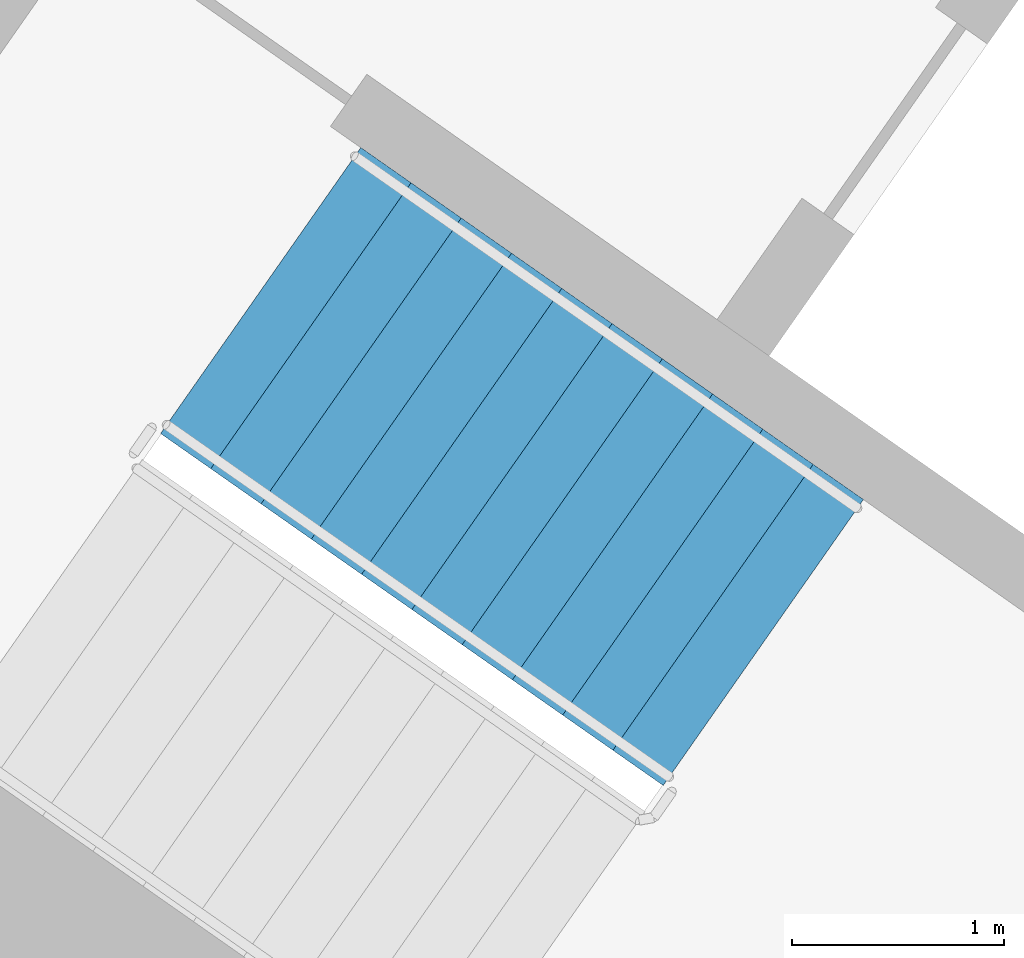
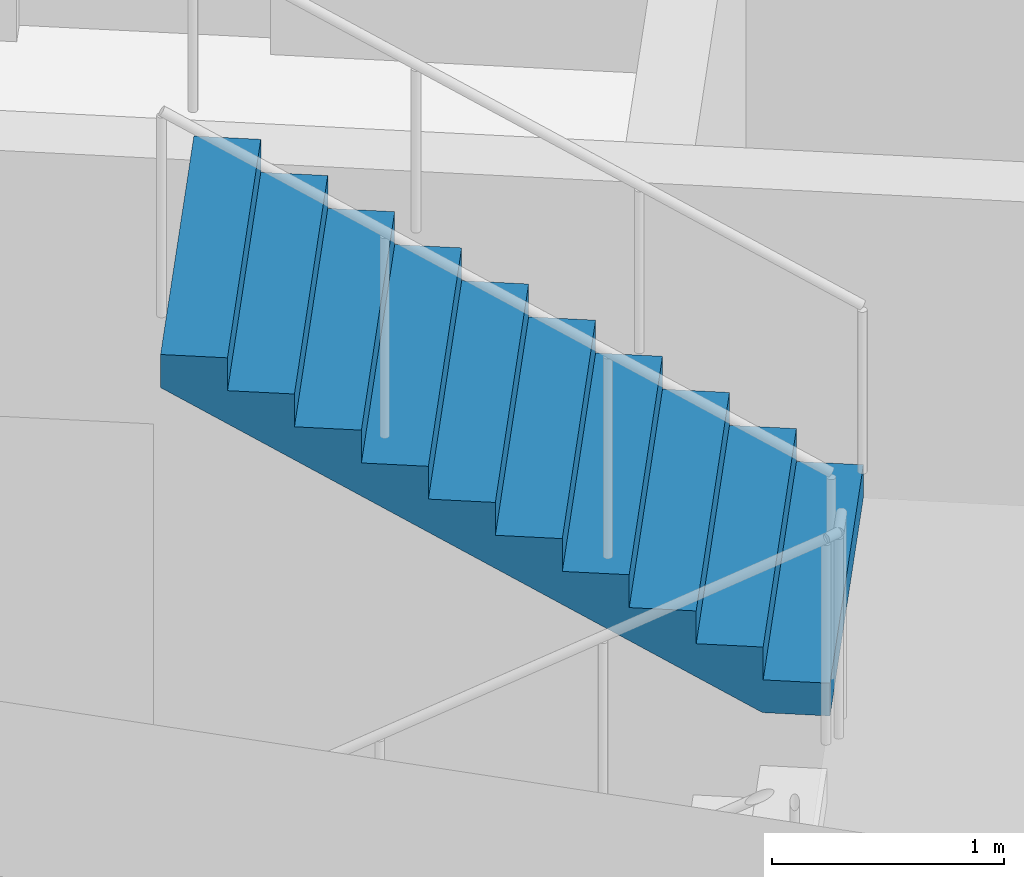
# One storey, part 13 of 32: 1 stair flight, 1 element without a shape of its own.
"""IFC4 building model written with IfcOpenShell, lengths in metres."""

from ifc_helpers import new_model, si_unit, direction, frame, origin, place, context, subcontext, project, spatial, faceted_brep, material, type_object, element, aggregate, save


model = new_model("IFC4")

# Units and contexts
model_context = context("Model", 3, precision=1e-05, world=origin(), true_north=direction((0.0, 1.0)))
body_context = subcontext(model_context, "Body", "Model", "MODEL_VIEW")
ifc_project = project(units=[si_unit("LENGTHUNIT", "METRE"), si_unit("AREAUNIT", "SQUARE_METRE"), si_unit("VOLUMEUNIT", "CUBIC_METRE"), si_unit("PLANEANGLEUNIT", "RADIAN"), si_unit("MASSUNIT", "GRAM", prefix="KILO")], contexts=[model_context])

# Site, building, storey
site_placement = place(None, origin())
site = spatial("IfcSite", under=ifc_project, at=site_placement, CompositionType="ELEMENT")
building_placement = place(site_placement, origin())
building = spatial("IfcBuilding", under=site, at=building_placement, Name="Qamariyya Broadcast Tower", CompositionType="ELEMENT")
storey_placement = place(building_placement, frame((0.0, 0.0, 70.89990234375)))
storey = spatial("IfcBuildingStorey", under=building, at=storey_placement, Name="L14", CompositionType="ELEMENT", Elevation=70.89990234375)

# Stair, stair flight
ifc_material = material(Name="Concrete C50/60", Category="concrete")
stair_type = type_object("IfcStairType", Name="Exit stair 22 risers of 173 mm", PredefinedType="HALF_TURN_STAIR", material=ifc_material)
stair_placement = place(storey_placement, origin())
stair = element("IfcStair", 1, at=stair_placement, inside=storey, type_object=stair_type, Name="L14 Stair W1", PredefinedType="HALF_TURN_STAIR")
stair_flight_type = type_object("IfcStairFlightType", Name="Exit stair flight 11 risers of 173 mm", PredefinedType="STRAIGHT", material=ifc_material)
stair_flight_placement = place(storey_placement, frame((-43.660888671875, -57.17138671875, 1.900146484375), z_axis=(0.0, 0.0, 1.0), x_axis=(-0.819152044289, 0.573576436351, 0.0)))
stair_flight = element("IfcStairFlight", 2, at=stair_flight_placement, type_object=stair_flight_type, Name="ST-W1 flight 2", NumberOfRisers=11, NumberOfTreads=10, PredefinedType="STRAIGHT", RiserHeight=0.172727273, TreadLength=0.29, context=body_context, shape_type="Brep", body=[
    faceted_brep([(0.0, 0.824951171875, 0.0), (0.0, 0.824951171875, 0.172607421875), (0.2900390625, 0.824951171875, 0.172607421875), (0.2900390625, 0.824951171875, 0.345458984375), (0.580078125, 0.824951171875, 0.345458984375), (0.580078125, 0.824951171875, 0.51806640625), (0.8701171875, 0.824951171875, 0.51806640625), (0.8701171875, 0.824951171875, 0.69091796875), (1.159912109375, 0.824951171875, 0.69091796875), (1.159912109375, 0.824951171875, 0.863525390625), (1.449951171875, 0.824951171875, 0.863525390625), (1.449951171875, 0.824951171875, 1.036376953125), (1.739990234375, 0.824951171875, 1.036376953125), (1.739990234375, 0.824951171875, 1.208984375), (2.030029296875, 0.824951171875, 1.208984375), (2.030029296875, 0.824951171875, 1.3818359375), (2.320068359375, 0.824951171875, 1.3818359375), (2.320068359375, 0.824951171875, 1.554443359375), (2.610107421875, 0.824951171875, 1.554443359375), (2.610107421875, 0.824951171875, 1.727294921875), (2.89990234375, 0.824951171875, 1.727294921875), (2.89990234375, 0.824951171875, 1.552734375), (0.29296875, 0.824951171875, 0.0), (0.29296875, -0.824951171875, 0.0), (2.89990234375, -0.824951171875, 1.552734375), (2.89990234375, -0.824951171875, 1.727294921875), (2.610107421875, -0.824951171875, 1.727294921875), (2.610107421875, -0.824951171875, 1.554443359375), (2.320068359375, -0.824951171875, 1.554443359375), (2.320068359375, -0.824951171875, 1.3818359375), (2.030029296875, -0.824951171875, 1.3818359375), (2.030029296875, -0.824951171875, 1.208984375), (1.739990234375, -0.824951171875, 1.208984375), (1.739990234375, -0.824951171875, 1.036376953125), (1.449951171875, -0.824951171875, 1.036376953125), (1.449951171875, -0.824951171875, 0.863525390625), (1.159912109375, -0.824951171875, 0.863525390625), (1.159912109375, -0.824951171875, 0.69091796875), (0.8701171875, -0.824951171875, 0.69091796875), (0.8701171875, -0.824951171875, 0.51806640625), (0.580078125, -0.824951171875, 0.51806640625), (0.580078125, -0.824951171875, 0.345458984375), (0.2900390625, -0.824951171875, 0.345458984375), (0.2900390625, -0.824951171875, 0.172607421875), (0.0, -0.824951171875, 0.172607421875), (0.0, -0.824951171875, 0.0), (0.0, 0.10009765625, 0.0), (0.0, 0.086669921875, 0.0), (0.0, 0.0732421875, 0.0), (0.0, 0.06005859375, 0.0), (0.0, 0.046630859375, 0.0), (0.0, 0.033447265625, 0.0), (0.0, 0.02001953125, 0.0), (0.0, 0.006591796875, 0.0), (0.0, -0.006591796875, 0.0), (0.0, -0.02001953125, 0.0), (0.0, -0.033447265625, 0.0), (0.0, -0.046630859375, 0.0), (0.0, -0.06005859375, 0.0), (0.0, -0.0732421875, 0.0), (0.0, -0.086669921875, 0.0), (0.0, -0.10009765625, 0.0), (0.0, -0.10009765625, 0.172607421875), (0.0, -0.086669921875, 0.172607421875), (0.0, -0.0732421875, 0.172607421875), (0.0, -0.06005859375, 0.172607421875), (0.0, -0.046630859375, 0.172607421875), (0.0, -0.033447265625, 0.172607421875), (0.0, -0.02001953125, 0.172607421875), (0.0, -0.006591796875, 0.172607421875), (0.0, 0.006591796875, 0.172607421875), (0.0, 0.02001953125, 0.172607421875), (0.0, 0.033447265625, 0.172607421875), (0.0, 0.046630859375, 0.172607421875), (0.0, 0.06005859375, 0.172607421875), (0.0, 0.0732421875, 0.172607421875), (0.0, 0.086669921875, 0.172607421875), (0.0, 0.10009765625, 0.172607421875), (0.2900390625, -0.10009765625, 0.172607421875), (0.2900390625, -0.086669921875, 0.172607421875), (0.2900390625, -0.0732421875, 0.172607421875), (0.2900390625, -0.06005859375, 0.172607421875), (0.2900390625, -0.046630859375, 0.172607421875), (0.2900390625, -0.033447265625, 0.172607421875), (0.2900390625, -0.02001953125, 0.172607421875), (0.2900390625, -0.006591796875, 0.172607421875), (0.2900390625, 0.006591796875, 0.172607421875), (0.2900390625, 0.02001953125, 0.172607421875), (0.2900390625, 0.033447265625, 0.172607421875), (0.2900390625, 0.046630859375, 0.172607421875), (0.2900390625, 0.06005859375, 0.172607421875), (0.2900390625, 0.0732421875, 0.172607421875), (0.2900390625, 0.086669921875, 0.172607421875), (0.2900390625, 0.10009765625, 0.172607421875), (0.2900390625, -0.10009765625, 0.345458984375), (0.2900390625, -0.086669921875, 0.345458984375), (0.2900390625, -0.0732421875, 0.345458984375), (0.2900390625, -0.06005859375, 0.345458984375), (0.2900390625, -0.046630859375, 0.345458984375), (0.2900390625, -0.033447265625, 0.345458984375), (0.2900390625, -0.02001953125, 0.345458984375), (0.2900390625, -0.006591796875, 0.345458984375), (0.2900390625, 0.006591796875, 0.345458984375), (0.2900390625, 0.02001953125, 0.345458984375), (0.2900390625, 0.033447265625, 0.345458984375), (0.2900390625, 0.046630859375, 0.345458984375), (0.2900390625, 0.06005859375, 0.345458984375), (0.2900390625, 0.0732421875, 0.345458984375), (0.2900390625, 0.086669921875, 0.345458984375), (0.2900390625, 0.10009765625, 0.345458984375), (0.580078125, -0.10009765625, 0.345458984375), (0.580078125, -0.086669921875, 0.345458984375), (0.580078125, -0.0732421875, 0.345458984375), (0.580078125, -0.06005859375, 0.345458984375), (0.580078125, -0.046630859375, 0.345458984375), (0.580078125, -0.033447265625, 0.345458984375), (0.580078125, -0.02001953125, 0.345458984375), (0.580078125, -0.006591796875, 0.345458984375), (0.580078125, 0.006591796875, 0.345458984375), (0.580078125, 0.02001953125, 0.345458984375), (0.580078125, 0.033447265625, 0.345458984375), (0.580078125, 0.046630859375, 0.345458984375), (0.580078125, 0.06005859375, 0.345458984375), (0.580078125, 0.0732421875, 0.345458984375), (0.580078125, 0.086669921875, 0.345458984375), (0.580078125, 0.10009765625, 0.345458984375), (0.580078125, -0.10009765625, 0.51806640625), (0.580078125, -0.086669921875, 0.51806640625), (0.580078125, -0.0732421875, 0.51806640625), (0.580078125, -0.06005859375, 0.51806640625), (0.580078125, -0.046630859375, 0.51806640625), (0.580078125, -0.033447265625, 0.51806640625), (0.580078125, -0.02001953125, 0.51806640625), (0.580078125, -0.006591796875, 0.51806640625), (0.580078125, 0.006591796875, 0.51806640625), (0.580078125, 0.02001953125, 0.51806640625), (0.580078125, 0.033447265625, 0.51806640625), (0.580078125, 0.046630859375, 0.51806640625), (0.580078125, 0.06005859375, 0.51806640625), (0.580078125, 0.0732421875, 0.51806640625), (0.580078125, 0.086669921875, 0.51806640625), (0.580078125, 0.10009765625, 0.51806640625), (0.8701171875, -0.10009765625, 0.51806640625), (0.8701171875, -0.086669921875, 0.51806640625), (0.8701171875, -0.0732421875, 0.51806640625), (0.8701171875, -0.06005859375, 0.51806640625), (0.8701171875, -0.046630859375, 0.51806640625), (0.8701171875, -0.033447265625, 0.51806640625), (0.8701171875, -0.02001953125, 0.51806640625), (0.8701171875, -0.006591796875, 0.51806640625), (0.8701171875, 0.006591796875, 0.51806640625), (0.8701171875, 0.02001953125, 0.51806640625), (0.8701171875, 0.033447265625, 0.51806640625), (0.8701171875, 0.046630859375, 0.51806640625), (0.8701171875, 0.06005859375, 0.51806640625), (0.8701171875, 0.0732421875, 0.51806640625), (0.8701171875, 0.086669921875, 0.51806640625), (0.8701171875, 0.10009765625, 0.51806640625), (0.8701171875, -0.10009765625, 0.69091796875), (0.8701171875, -0.086669921875, 0.69091796875), (0.8701171875, -0.0732421875, 0.69091796875), (0.8701171875, -0.06005859375, 0.69091796875), (0.8701171875, -0.046630859375, 0.69091796875), (0.8701171875, -0.033447265625, 0.69091796875), (0.8701171875, -0.02001953125, 0.69091796875), (0.8701171875, -0.006591796875, 0.69091796875), (0.8701171875, 0.006591796875, 0.69091796875), (0.8701171875, 0.02001953125, 0.69091796875), (0.8701171875, 0.033447265625, 0.69091796875), (0.8701171875, 0.046630859375, 0.69091796875), (0.8701171875, 0.06005859375, 0.69091796875), (0.8701171875, 0.0732421875, 0.69091796875), (0.8701171875, 0.086669921875, 0.69091796875), (0.8701171875, 0.10009765625, 0.69091796875), (1.159912109375, -0.10009765625, 0.69091796875), (1.159912109375, -0.086669921875, 0.69091796875), (1.159912109375, -0.0732421875, 0.69091796875), (1.159912109375, -0.06005859375, 0.69091796875), (1.159912109375, -0.046630859375, 0.69091796875), (1.159912109375, -0.033447265625, 0.69091796875), (1.159912109375, -0.02001953125, 0.69091796875), (1.159912109375, -0.006591796875, 0.69091796875), (1.159912109375, 0.006591796875, 0.69091796875), (1.159912109375, 0.02001953125, 0.69091796875), (1.159912109375, 0.033447265625, 0.69091796875), (1.159912109375, 0.046630859375, 0.69091796875), (1.159912109375, 0.06005859375, 0.69091796875), (1.159912109375, 0.0732421875, 0.69091796875), (1.159912109375, 0.086669921875, 0.69091796875), (1.159912109375, 0.10009765625, 0.69091796875), (1.159912109375, -0.10009765625, 0.863525390625), (1.159912109375, -0.086669921875, 0.863525390625), (1.159912109375, -0.0732421875, 0.863525390625), (1.159912109375, -0.06005859375, 0.863525390625), (1.159912109375, -0.046630859375, 0.863525390625), (1.159912109375, -0.033447265625, 0.863525390625), (1.159912109375, -0.02001953125, 0.863525390625), (1.159912109375, -0.006591796875, 0.863525390625), (1.159912109375, 0.006591796875, 0.863525390625), (1.159912109375, 0.02001953125, 0.863525390625), (1.159912109375, 0.033447265625, 0.863525390625), (1.159912109375, 0.046630859375, 0.863525390625), (1.159912109375, 0.06005859375, 0.863525390625), (1.159912109375, 0.0732421875, 0.863525390625), (1.159912109375, 0.086669921875, 0.863525390625), (1.159912109375, 0.10009765625, 0.863525390625), (1.449951171875, -0.10009765625, 0.863525390625), (1.449951171875, -0.086669921875, 0.863525390625), (1.449951171875, -0.0732421875, 0.863525390625), (1.449951171875, -0.06005859375, 0.863525390625), (1.449951171875, -0.046630859375, 0.863525390625), (1.449951171875, -0.033447265625, 0.863525390625), (1.449951171875, -0.02001953125, 0.863525390625), (1.449951171875, -0.006591796875, 0.863525390625), (1.449951171875, 0.006591796875, 0.863525390625), (1.449951171875, 0.02001953125, 0.863525390625), (1.449951171875, 0.033447265625, 0.863525390625), (1.449951171875, 0.046630859375, 0.863525390625), (1.449951171875, 0.06005859375, 0.863525390625), (1.449951171875, 0.0732421875, 0.863525390625), (1.449951171875, 0.086669921875, 0.863525390625), (1.449951171875, 0.10009765625, 0.863525390625), (1.449951171875, -0.10009765625, 1.036376953125), (1.449951171875, -0.086669921875, 1.036376953125), (1.449951171875, -0.0732421875, 1.036376953125), (1.449951171875, -0.06005859375, 1.036376953125), (1.449951171875, -0.046630859375, 1.036376953125), (1.449951171875, -0.033447265625, 1.036376953125), (1.449951171875, -0.02001953125, 1.036376953125), (1.449951171875, -0.006591796875, 1.036376953125), (1.449951171875, 0.006591796875, 1.036376953125), (1.449951171875, 0.02001953125, 1.036376953125), (1.449951171875, 0.033447265625, 1.036376953125), (1.449951171875, 0.046630859375, 1.036376953125), (1.449951171875, 0.06005859375, 1.036376953125), (1.449951171875, 0.0732421875, 1.036376953125), (1.449951171875, 0.086669921875, 1.036376953125), (1.449951171875, 0.10009765625, 1.036376953125), (1.739990234375, -0.10009765625, 1.036376953125), (1.739990234375, -0.086669921875, 1.036376953125), (1.739990234375, -0.0732421875, 1.036376953125), (1.739990234375, -0.06005859375, 1.036376953125), (1.739990234375, -0.046630859375, 1.036376953125), (1.739990234375, -0.033447265625, 1.036376953125), (1.739990234375, -0.02001953125, 1.036376953125), (1.739990234375, -0.006591796875, 1.036376953125), (1.739990234375, 0.006591796875, 1.036376953125), (1.739990234375, 0.02001953125, 1.036376953125), (1.739990234375, 0.033447265625, 1.036376953125), (1.739990234375, 0.046630859375, 1.036376953125), (1.739990234375, 0.06005859375, 1.036376953125), (1.739990234375, 0.0732421875, 1.036376953125), (1.739990234375, 0.086669921875, 1.036376953125), (1.739990234375, 0.10009765625, 1.036376953125), (1.739990234375, -0.10009765625, 1.208984375), (1.739990234375, -0.086669921875, 1.208984375), (1.739990234375, -0.0732421875, 1.208984375), (1.739990234375, -0.06005859375, 1.208984375), (1.739990234375, -0.046630859375, 1.208984375), (1.739990234375, -0.033447265625, 1.208984375), (1.739990234375, -0.02001953125, 1.208984375), (1.739990234375, -0.006591796875, 1.208984375), (1.739990234375, 0.006591796875, 1.208984375), (1.739990234375, 0.02001953125, 1.208984375), (1.739990234375, 0.033447265625, 1.208984375), (1.739990234375, 0.046630859375, 1.208984375), (1.739990234375, 0.06005859375, 1.208984375), (1.739990234375, 0.0732421875, 1.208984375), (1.739990234375, 0.086669921875, 1.208984375), (1.739990234375, 0.10009765625, 1.208984375), (2.030029296875, -0.10009765625, 1.208984375), (2.030029296875, -0.086669921875, 1.208984375), (2.030029296875, -0.0732421875, 1.208984375), (2.030029296875, -0.06005859375, 1.208984375), (2.030029296875, -0.046630859375, 1.208984375), (2.030029296875, -0.033447265625, 1.208984375), (2.030029296875, -0.02001953125, 1.208984375), (2.030029296875, -0.006591796875, 1.208984375), (2.030029296875, 0.006591796875, 1.208984375), (2.030029296875, 0.02001953125, 1.208984375), (2.030029296875, 0.033447265625, 1.208984375), (2.030029296875, 0.046630859375, 1.208984375), (2.030029296875, 0.06005859375, 1.208984375), (2.030029296875, 0.0732421875, 1.208984375), (2.030029296875, 0.086669921875, 1.208984375), (2.030029296875, 0.10009765625, 1.208984375), (2.030029296875, -0.10009765625, 1.3818359375), (2.030029296875, -0.086669921875, 1.3818359375), (2.030029296875, -0.0732421875, 1.3818359375), (2.030029296875, -0.06005859375, 1.3818359375), (2.030029296875, -0.046630859375, 1.3818359375), (2.030029296875, -0.033447265625, 1.3818359375), (2.030029296875, -0.02001953125, 1.3818359375), (2.030029296875, -0.006591796875, 1.3818359375), (2.030029296875, 0.006591796875, 1.3818359375), (2.030029296875, 0.02001953125, 1.3818359375), (2.030029296875, 0.033447265625, 1.3818359375), (2.030029296875, 0.046630859375, 1.3818359375), (2.030029296875, 0.06005859375, 1.3818359375), (2.030029296875, 0.0732421875, 1.3818359375), (2.030029296875, 0.086669921875, 1.3818359375), (2.030029296875, 0.10009765625, 1.3818359375), (2.320068359375, -0.10009765625, 1.3818359375), (2.320068359375, -0.086669921875, 1.3818359375), (2.320068359375, -0.0732421875, 1.3818359375), (2.320068359375, -0.06005859375, 1.3818359375), (2.320068359375, -0.046630859375, 1.3818359375), (2.320068359375, -0.033447265625, 1.3818359375), (2.320068359375, -0.02001953125, 1.3818359375), (2.320068359375, -0.006591796875, 1.3818359375), (2.320068359375, 0.006591796875, 1.3818359375), (2.320068359375, 0.02001953125, 1.3818359375), (2.320068359375, 0.033447265625, 1.3818359375), (2.320068359375, 0.046630859375, 1.3818359375), (2.320068359375, 0.06005859375, 1.3818359375), (2.320068359375, 0.0732421875, 1.3818359375), (2.320068359375, 0.086669921875, 1.3818359375), (2.320068359375, 0.10009765625, 1.3818359375), (2.320068359375, -0.10009765625, 1.554443359375), (2.320068359375, -0.086669921875, 1.554443359375), (2.320068359375, -0.0732421875, 1.554443359375), (2.320068359375, -0.06005859375, 1.554443359375), (2.320068359375, -0.046630859375, 1.554443359375), (2.320068359375, -0.033447265625, 1.554443359375), (2.320068359375, -0.02001953125, 1.554443359375), (2.320068359375, -0.006591796875, 1.554443359375), (2.320068359375, 0.006591796875, 1.554443359375), (2.320068359375, 0.02001953125, 1.554443359375), (2.320068359375, 0.033447265625, 1.554443359375), (2.320068359375, 0.046630859375, 1.554443359375), (2.320068359375, 0.06005859375, 1.554443359375), (2.320068359375, 0.0732421875, 1.554443359375), (2.320068359375, 0.086669921875, 1.554443359375), (2.320068359375, 0.10009765625, 1.554443359375), (2.610107421875, -0.10009765625, 1.554443359375), (2.610107421875, -0.086669921875, 1.554443359375), (2.610107421875, -0.0732421875, 1.554443359375), (2.610107421875, -0.06005859375, 1.554443359375), (2.610107421875, -0.046630859375, 1.554443359375), (2.610107421875, -0.033447265625, 1.554443359375), (2.610107421875, -0.02001953125, 1.554443359375), (2.610107421875, -0.006591796875, 1.554443359375), (2.610107421875, 0.006591796875, 1.554443359375), (2.610107421875, 0.02001953125, 1.554443359375), (2.610107421875, 0.033447265625, 1.554443359375), (2.610107421875, 0.046630859375, 1.554443359375), (2.610107421875, 0.06005859375, 1.554443359375), (2.610107421875, 0.0732421875, 1.554443359375), (2.610107421875, 0.086669921875, 1.554443359375), (2.610107421875, 0.10009765625, 1.554443359375), (2.610107421875, -0.10009765625, 1.727294921875), (2.610107421875, -0.086669921875, 1.727294921875), (2.610107421875, -0.0732421875, 1.727294921875), (2.610107421875, -0.06005859375, 1.727294921875), (2.610107421875, -0.046630859375, 1.727294921875), (2.610107421875, -0.033447265625, 1.727294921875), (2.610107421875, -0.02001953125, 1.727294921875), (2.610107421875, -0.006591796875, 1.727294921875), (2.610107421875, 0.006591796875, 1.727294921875), (2.610107421875, 0.02001953125, 1.727294921875), (2.610107421875, 0.033447265625, 1.727294921875), (2.610107421875, 0.046630859375, 1.727294921875), (2.610107421875, 0.06005859375, 1.727294921875), (2.610107421875, 0.0732421875, 1.727294921875), (2.610107421875, 0.086669921875, 1.727294921875), (2.610107421875, 0.10009765625, 1.727294921875), (2.89990234375, -0.10009765625, 1.727294921875), (2.89990234375, -0.086669921875, 1.727294921875), (2.89990234375, -0.0732421875, 1.727294921875), (2.89990234375, -0.06005859375, 1.727294921875), (2.89990234375, -0.046630859375, 1.727294921875), (2.89990234375, -0.033447265625, 1.727294921875), (2.89990234375, -0.02001953125, 1.727294921875), (2.89990234375, -0.006591796875, 1.727294921875), (2.89990234375, 0.006591796875, 1.727294921875), (2.89990234375, 0.02001953125, 1.727294921875), (2.89990234375, 0.033447265625, 1.727294921875), (2.89990234375, 0.046630859375, 1.727294921875), (2.89990234375, 0.06005859375, 1.727294921875), (2.89990234375, 0.0732421875, 1.727294921875), (2.89990234375, 0.086669921875, 1.727294921875), (2.89990234375, 0.10009765625, 1.727294921875), (2.89990234375, -0.10009765625, 1.552734375), (2.89990234375, -0.086669921875, 1.552734375), (2.89990234375, -0.0732421875, 1.552734375), (2.89990234375, -0.06005859375, 1.552734375), (2.89990234375, -0.046630859375, 1.552734375), (2.89990234375, -0.033447265625, 1.552734375), (2.89990234375, -0.02001953125, 1.552734375), (2.89990234375, -0.006591796875, 1.552734375), (2.89990234375, 0.006591796875, 1.552734375), (2.89990234375, 0.02001953125, 1.552734375), (2.89990234375, 0.033447265625, 1.552734375), (2.89990234375, 0.046630859375, 1.552734375), (2.89990234375, 0.06005859375, 1.552734375), (2.89990234375, 0.0732421875, 1.552734375), (2.89990234375, 0.086669921875, 1.552734375), (2.89990234375, 0.10009765625, 1.552734375), (0.29296875, -0.10009765625, 0.0), (0.29296875, -0.086669921875, 0.0), (0.29296875, -0.0732421875, 0.0), (0.29296875, -0.06005859375, 0.0), (0.29296875, -0.046630859375, 0.0), (0.29296875, -0.033447265625, 0.0), (0.29296875, -0.02001953125, 0.0), (0.29296875, -0.006591796875, 0.0), (0.29296875, 0.006591796875, 0.0), (0.29296875, 0.02001953125, 0.0), (0.29296875, 0.033447265625, 0.0), (0.29296875, 0.046630859375, 0.0), (0.29296875, 0.06005859375, 0.0), (0.29296875, 0.0732421875, 0.0), (0.29296875, 0.086669921875, 0.0), (0.29296875, 0.10009765625, 0.0)], [[[0, 1, 2, 3, 4, 5, 6, 7, 8, 9, 10, 11, 12, 13, 14, 15, 16, 17, 18, 19, 20, 21, 22]], [[23, 24, 25, 26, 27, 28, 29, 30, 31, 32, 33, 34, 35, 36, 37, 38, 39, 40, 41, 42, 43, 44, 45]], [[0, 46, 47, 48, 49, 50, 51, 52, 53, 54, 55, 56, 57, 58, 59, 60, 61, 45, 44, 62, 63, 64, 65, 66, 67, 68, 69, 70, 71, 72, 73, 74, 75, 76, 77, 1]], [[1, 77, 76, 75, 74, 73, 72, 71, 70, 69, 68, 67, 66, 65, 64, 63, 62, 44, 43, 78, 79, 80, 81, 82, 83, 84, 85, 86, 87, 88, 89, 90, 91, 92, 93, 2]], [[2, 93, 92, 91, 90, 89, 88, 87, 86, 85, 84, 83, 82, 81, 80, 79, 78, 43, 42, 94, 95, 96, 97, 98, 99, 100, 101, 102, 103, 104, 105, 106, 107, 108, 109, 3]], [[3, 109, 108, 107, 106, 105, 104, 103, 102, 101, 100, 99, 98, 97, 96, 95, 94, 42, 41, 110, 111, 112, 113, 114, 115, 116, 117, 118, 119, 120, 121, 122, 123, 124, 125, 4]], [[4, 125, 124, 123, 122, 121, 120, 119, 118, 117, 116, 115, 114, 113, 112, 111, 110, 41, 40, 126, 127, 128, 129, 130, 131, 132, 133, 134, 135, 136, 137, 138, 139, 140, 141, 5]], [[5, 141, 140, 139, 138, 137, 136, 135, 134, 133, 132, 131, 130, 129, 128, 127, 126, 40, 39, 142, 143, 144, 145, 146, 147, 148, 149, 150, 151, 152, 153, 154, 155, 156, 157, 6]], [[6, 157, 156, 155, 154, 153, 152, 151, 150, 149, 148, 147, 146, 145, 144, 143, 142, 39, 38, 158, 159, 160, 161, 162, 163, 164, 165, 166, 167, 168, 169, 170, 171, 172, 173, 7]], [[7, 173, 172, 171, 170, 169, 168, 167, 166, 165, 164, 163, 162, 161, 160, 159, 158, 38, 37, 174, 175, 176, 177, 178, 179, 180, 181, 182, 183, 184, 185, 186, 187, 188, 189, 8]], [[8, 189, 188, 187, 186, 185, 184, 183, 182, 181, 180, 179, 178, 177, 176, 175, 174, 37, 36, 190, 191, 192, 193, 194, 195, 196, 197, 198, 199, 200, 201, 202, 203, 204, 205, 9]], [[9, 205, 204, 203, 202, 201, 200, 199, 198, 197, 196, 195, 194, 193, 192, 191, 190, 36, 35, 206, 207, 208, 209, 210, 211, 212, 213, 214, 215, 216, 217, 218, 219, 220, 221, 10]], [[10, 221, 220, 219, 218, 217, 216, 215, 214, 213, 212, 211, 210, 209, 208, 207, 206, 35, 34, 222, 223, 224, 225, 226, 227, 228, 229, 230, 231, 232, 233, 234, 235, 236, 237, 11]], [[11, 237, 236, 235, 234, 233, 232, 231, 230, 229, 228, 227, 226, 225, 224, 223, 222, 34, 33, 238, 239, 240, 241, 242, 243, 244, 245, 246, 247, 248, 249, 250, 251, 252, 253, 12]], [[12, 253, 252, 251, 250, 249, 248, 247, 246, 245, 244, 243, 242, 241, 240, 239, 238, 33, 32, 254, 255, 256, 257, 258, 259, 260, 261, 262, 263, 264, 265, 266, 267, 268, 269, 13]], [[13, 269, 268, 267, 266, 265, 264, 263, 262, 261, 260, 259, 258, 257, 256, 255, 254, 32, 31, 270, 271, 272, 273, 274, 275, 276, 277, 278, 279, 280, 281, 282, 283, 284, 285, 14]], [[14, 285, 284, 283, 282, 281, 280, 279, 278, 277, 276, 275, 274, 273, 272, 271, 270, 31, 30, 286, 287, 288, 289, 290, 291, 292, 293, 294, 295, 296, 297, 298, 299, 300, 301, 15]], [[15, 301, 300, 299, 298, 297, 296, 295, 294, 293, 292, 291, 290, 289, 288, 287, 286, 30, 29, 302, 303, 304, 305, 306, 307, 308, 309, 310, 311, 312, 313, 314, 315, 316, 317, 16]], [[16, 317, 316, 315, 314, 313, 312, 311, 310, 309, 308, 307, 306, 305, 304, 303, 302, 29, 28, 318, 319, 320, 321, 322, 323, 324, 325, 326, 327, 328, 329, 330, 331, 332, 333, 17]], [[17, 333, 332, 331, 330, 329, 328, 327, 326, 325, 324, 323, 322, 321, 320, 319, 318, 28, 27, 334, 335, 336, 337, 338, 339, 340, 341, 342, 343, 344, 345, 346, 347, 348, 349, 18]], [[18, 349, 348, 347, 346, 345, 344, 343, 342, 341, 340, 339, 338, 337, 336, 335, 334, 27, 26, 350, 351, 352, 353, 354, 355, 356, 357, 358, 359, 360, 361, 362, 363, 364, 365, 19]], [[19, 365, 364, 363, 362, 361, 360, 359, 358, 357, 356, 355, 354, 353, 352, 351, 350, 26, 25, 366, 367, 368, 369, 370, 371, 372, 373, 374, 375, 376, 377, 378, 379, 380, 381, 20]], [[20, 381, 380, 379, 378, 377, 376, 375, 374, 373, 372, 371, 370, 369, 368, 367, 366, 25, 24, 382, 383, 384, 385, 386, 387, 388, 389, 390, 391, 392, 393, 394, 395, 396, 397, 21]], [[21, 397, 396, 395, 394, 393, 392, 391, 390, 389, 388, 387, 386, 385, 384, 383, 382, 24, 23, 398, 399, 400, 401, 402, 403, 404, 405, 406, 407, 408, 409, 410, 411, 412, 413, 22]], [[22, 413, 412, 411, 410, 409, 408, 407, 406, 405, 404, 403, 402, 401, 400, 399, 398, 23, 45, 61, 60, 59, 58, 57, 56, 55, 54, 53, 52, 51, 50, 49, 48, 47, 46, 0]]]),
])
aggregate(stair, [stair_flight])

save(model, "model.ifc")
